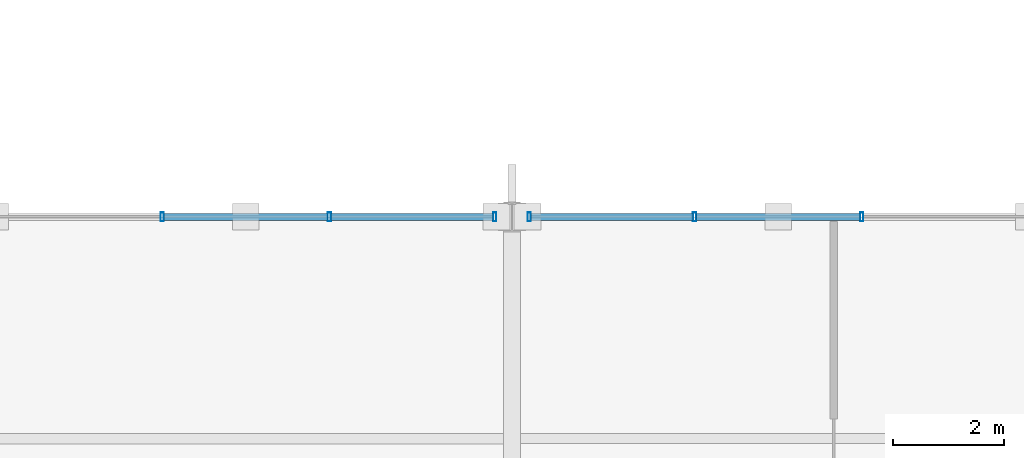
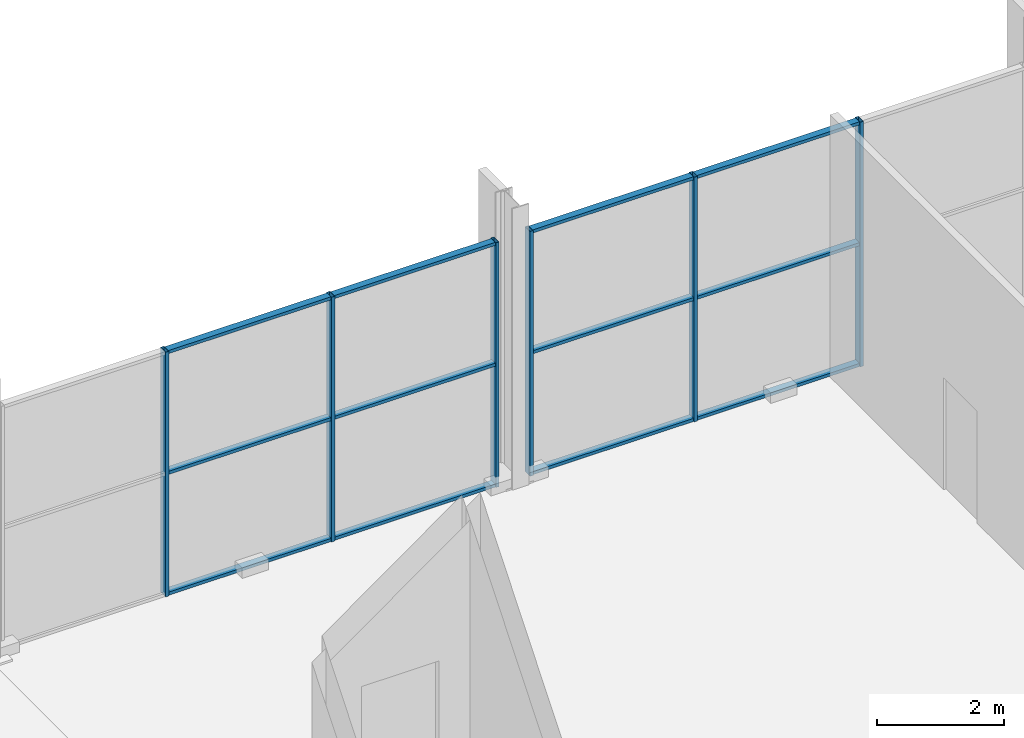
# One storey, part 112 of 196: 18 members, 2 elements without a shape of their own.
"""IFC4 building model written with IfcOpenShell, lengths in metres."""

import ifcopenshell
import ifcopenshell.guid

model = None  # the IFC model being written
_history = None  # IfcOwnerHistory: only IFC2X3 demands one
_inside = {}  # id of a spatial element -> (the spatial element, [elements in it])
_under = {}  # id of a project, library or spatial element -> (it, [spatial elements below it])
_declared = {}  # id of a project -> (the project, [libraries it declares])
_typed = {}  # id of a type object -> (the type object, [elements of that type])
_made_of = {}  # id of a material, layer set ... -> (it, [elements and type objects made of it])


def new_model(schema):
    """Start an empty IFC model of exactly this schema.

    Asked for "IFC4X3", IfcOpenShell would pick the latest addendum, in which some entities
    have other attributes; the version numbers below select the first issue.
    IFC2X3 requires an IfcOwnerHistory on every rooted entity: one is made here for all.
    """
    global model, _history
    if schema == "IFC4X3":
        model = ifcopenshell.file(schema_version=(4, 3, 0, 0))
    else:
        model = ifcopenshell.file(schema=schema)
    _inside.clear()
    _under.clear()
    _declared.clear()
    _typed.clear()
    _made_of.clear()
    _history = None
    if model.schema == "IFC2X3":
        org = make("IfcOrganization", Name="unknown")
        user = make(
            "IfcPersonAndOrganization",
            ThePerson=make("IfcPerson", FamilyName="unknown"),
            TheOrganization=org,
        )
        app = make(
            "IfcApplication",
            ApplicationDeveloper=org,
            Version="unknown",
            ApplicationFullName="unknown",
            ApplicationIdentifier="unknown",
        )
        _history = make(
            "IfcOwnerHistory",
            OwningUser=user,
            OwningApplication=app,
            ChangeAction="ADDED",
            CreationDate=0,
        )
    return model


def make(cls, **values):
    """One entity of the class cls with the attributes given. An attribute that is None is left unset."""
    return model.create_entity(
        cls, **{name: value for name, value in values.items() if value is not None}
    )


def rooted(cls, **values):
    """An entity with a GlobalId (a new one), such as an element, a storey or a relation."""
    return make(cls, GlobalId=ifcopenshell.guid.new(), OwnerHistory=_history, **values)


def si_unit(unit_type, name, prefix=None):
    """IfcSIUnit, for example si_unit("LENGTHUNIT", "METRE", prefix="MILLI")."""
    return make("IfcSIUnit", UnitType=unit_type, Prefix=prefix, Name=name)


def assignment(units):
    """IfcUnitAssignment: the units of a project."""
    return None if units is None else make("IfcUnitAssignment", Units=units)


def point(xyz):
    """IfcCartesianPoint."""
    return None if xyz is None else make("IfcCartesianPoint", Coordinates=xyz)


def direction(xyz):
    """IfcDirection."""
    return None if xyz is None else make("IfcDirection", DirectionRatios=xyz)


def frame(location, z_axis=None, x_axis=None):
    """IfcAxis2Placement3D, a coordinate frame: its origin and axes. An axis left out is left unset."""
    return make(
        "IfcAxis2Placement3D",
        Location=point(location),
        Axis=direction(z_axis),
        RefDirection=direction(x_axis),
    )


def frame_2d(location, x_axis=None):
    """IfcAxis2Placement2D, a coordinate frame in the plane: its origin and x axis."""
    return make(
        "IfcAxis2Placement2D", Location=point(location), RefDirection=direction(x_axis)
    )


def origin():
    """The frame at (0, 0, 0) with its axes left unset."""
    return frame((0.0, 0.0, 0.0))


def origin_2d():
    """The frame at (0, 0) in the plane with its x axis left unset."""
    return frame_2d((0.0, 0.0))


def place(relative_to, where):
    """IfcLocalPlacement: puts the frame where relative to a parent placement (None: the world)."""
    return make(
        "IfcLocalPlacement", PlacementRelTo=relative_to, RelativePlacement=where
    )


def context(
    kind, dimensions, precision=None, world=None, true_north=None, identifier=None
):
    """IfcGeometricRepresentationContext, for example the 3D "Model" context."""
    return make(
        "IfcGeometricRepresentationContext",
        ContextIdentifier=identifier,
        ContextType=kind,
        CoordinateSpaceDimension=dimensions,
        Precision=precision,
        WorldCoordinateSystem=world,
        TrueNorth=true_north,
    )


def subcontext(parent, identifier, kind, view, scale=None):
    """IfcGeometricRepresentationSubContext, for example "Body" below "Model"."""
    return make(
        "IfcGeometricRepresentationSubContext",
        ContextIdentifier=identifier,
        ContextType=kind,
        ParentContext=parent,
        TargetScale=scale,
        TargetView=view,
    )


def project(units=None, contexts=None):
    """IfcProject with its units and contexts."""
    return rooted(
        "IfcProject",
        Name="project",
        RepresentationContexts=contexts,
        UnitsInContext=assignment(units),
    )


def spatial(cls, under=None, at=None, **own):
    """A site, building, storey or space (cls), placed at a placement, below another one or the project."""
    s = rooted(cls, ObjectPlacement=at, **own)
    if under is not None:
        _under.setdefault(under.id(), (under, []))[1].append(s)
    return s


def profile(cls, at=None, kind="AREA", **sizes):
    """A parametric profile (cls). Its sizes go by their IFC names, for example OverallWidth=200.0."""
    return make(cls, ProfileType=kind, Position=at, **sizes)


def hollow_rectangle(**sizes):
    """IfcRectangleHollowProfileDef."""
    return profile("IfcRectangleHollowProfileDef", **sizes)


def extrude(swept, where, along, depth):
    """IfcExtrudedAreaSolid: the profile swept, set in the frame where, extruded along a direction by depth."""
    return make(
        "IfcExtrudedAreaSolid",
        SweptArea=swept,
        Position=where,
        ExtrudedDirection=direction(along),
        Depth=depth,
    )


def shape(context_of_items, identifier, shape_type, items):
    """IfcShapeRepresentation: the items that make up one representation, for example the "Body"."""
    return make(
        "IfcShapeRepresentation",
        ContextOfItems=context_of_items,
        RepresentationIdentifier=identifier,
        RepresentationType=shape_type,
        Items=items,
    )


def material(Name=None, Category=None):
    """IfcMaterial."""
    return make("IfcMaterial", Name=Name, Category=Category)


def material_profile(
    of_material, cross_section, Name=None, Category=None, Priority=None
):
    """IfcMaterialProfile: a cross section and its material."""
    return make(
        "IfcMaterialProfile",
        Name=Name,
        Material=of_material,
        Profile=cross_section,
        Priority=Priority,
        Category=Category,
    )


def profile_set(profiles, Name=None, composite=None):
    """IfcMaterialProfileSet."""
    return make(
        "IfcMaterialProfileSet",
        Name=Name,
        MaterialProfiles=profiles,
        CompositeProfile=composite,
    )


def made_of(thing, what):
    """Note that an element or type object is made of a material, layer set ...; save() writes the relation."""
    if what is not None:
        _made_of.setdefault(what.id(), (what, []))[1].append(thing)
    return thing


def type_object(cls, material=None, **own):
    """A type object (cls), such as IfcWallType, which elements share."""
    return made_of(rooted(cls, **own), material)


def element(
    cls,
    number,
    at=None,
    inside=None,
    cuts=None,
    type_object=None,
    material=None,
    context=None,
    identifier="Body",
    shape_type=None,
    held_by="IfcProductDefinitionShape",
    body=None,
    shapes=None,
    **own,
):
    """One element of the class cls, such as IfcWall. Its Tag is "e" and its number.

    at: its placement. inside: the storey or other place that contains it. cuts: it is an
    opening in that element (IfcRelVoidsElement). A single representation is given by context,
    identifier, shape_type and body (its items); several are given by shapes. held_by: the class
    of the entity that holds the representations. save() writes the other relations.
    """
    e = rooted(cls, Tag="e%d" % number, ObjectPlacement=at, **own)
    if body is not None:
        shapes = [shape(context, identifier, shape_type, body)]
    if shapes is not None:
        e.Representation = make(held_by, Representations=shapes)
    if inside is not None:
        _inside.setdefault(inside.id(), (inside, []))[1].append(e)
    if cuts is not None:
        rooted(
            "IfcRelVoidsElement", RelatingBuildingElement=cuts, RelatedOpeningElement=e
        )
    if type_object is not None:
        _typed.setdefault(type_object.id(), (type_object, []))[1].append(e)
    return made_of(e, material)


def aggregate(whole, parts):
    """IfcRelAggregates: a whole, such as a stair, and the parts it consists of."""
    return rooted("IfcRelAggregates", RelatingObject=whole, RelatedObjects=parts)


def save(model, path):
    """Write the relations noted so far, then the file.

    IfcRelAggregates (storeys below a building ...), IfcRelContainedInSpatialStructure (elements
    in a storey), IfcRelDefinesByType, IfcRelAssociatesMaterial and IfcRelDeclares: one each for
    every whole, place, type object, material and project.
    """
    for whole, parts in _under.values():
        aggregate(whole, parts)
    for where, things in _inside.values():
        rooted(
            "IfcRelContainedInSpatialStructure",
            RelatedElements=things,
            RelatingStructure=where,
        )
    for kind, things in _typed.values():
        rooted("IfcRelDefinesByType", RelatedObjects=things, RelatingType=kind)
    for what, things in _made_of.values():
        rooted("IfcRelAssociatesMaterial", RelatedObjects=things, RelatingMaterial=what)
    for by, libraries in _declared.values():
        rooted("IfcRelDeclares", RelatingContext=by, RelatedDefinitions=libraries)
    model.write(path)


model = new_model("IFC4")

# Units and contexts
model_context = context("Model", 3, precision=1e-05, world=origin(), true_north=direction((0.0, 1.0)))
body_context = subcontext(model_context, "Body", "Model", "MODEL_VIEW")
ifc_project = project(units=[si_unit("LENGTHUNIT", "METRE"), si_unit("AREAUNIT", "SQUARE_METRE"), si_unit("VOLUMEUNIT", "CUBIC_METRE"), si_unit("PLANEANGLEUNIT", "RADIAN"), si_unit("MASSUNIT", "GRAM", prefix="KILO")], contexts=[model_context])

# Site, building, storey
site_placement = place(None, origin())
site = spatial("IfcSite", under=ifc_project, at=site_placement, CompositionType="ELEMENT")
building_placement = place(site_placement, origin())
building = spatial("IfcBuilding", under=site, at=building_placement, Name="Merenkruunu Market Hall", CompositionType="ELEMENT")
storey_placement = place(building_placement, origin())
storey = spatial("IfcBuildingStorey", under=building, at=storey_placement, Name="L00", CompositionType="ELEMENT", Elevation=0.0)

# Curtain wall, members
ifc_material = material(Name="Powder-coated aluminium", Category="aluminium")
curtain_wall_type = type_object("IfcCurtainWallType", Name="Glazed Curtain Wall CW01", PredefinedType="USERDEFINED", material=ifc_material)
curtain_wall_1_placement = place(storey_placement, origin())
curtain_wall_1 = element("IfcCurtainWall", 1, at=curtain_wall_1_placement, inside=storey, type_object=curtain_wall_type, Name="CW-L00-CWM01-059", ObjectType="GLAZED_FACADE", PredefinedType="USERDEFINED")
ifc_material_profile_1 = material_profile(ifc_material, hollow_rectangle(XDim=0.06005859375, YDim=0.159912109375, WallThickness=0.00390625, at=origin_2d()), Name="ALU 60x160x4")
ifc_profile_set_1 = profile_set([ifc_material_profile_1], Name="Powder-coated aluminium")
member_type_1 = type_object("IfcMemberType", Name="Curtain Wall Mullion CWM01", PredefinedType="MULLION", material=ifc_profile_set_1)
member_1_placement = place(storey_placement, frame((32.09326171875, 111.60009765625, 0.0), z_axis=(0.0, 0.0, 1.0), x_axis=(1.0, 0.0, 0.0)))
member_1 = element("IfcMember", 2, at=member_1_placement, type_object=member_type_1, Name="CW01 mullion 2", PredefinedType="MULLION", context=body_context, shape_type="SweptSolid", body=[
    extrude(hollow_rectangle(XDim=0.06005859375, YDim=0.159912109375, WallThickness=0.00390625, at=origin_2d()), origin(), (0.0, 0.0, 1.0), 4.699951171875),
])
member_2_placement = place(storey_placement, frame((35.106689453125, 111.60009765625, 0.0), z_axis=(0.0, 0.0, 1.0), x_axis=(1.0, 0.0, 0.0)))
member_2 = element("IfcMember", 3, at=member_2_placement, type_object=member_type_1, Name="CW01 mullion 3", PredefinedType="MULLION", context=body_context, shape_type="SweptSolid", body=[
    extrude(hollow_rectangle(XDim=0.06005859375, YDim=0.159912109375, WallThickness=0.00390625, at=origin_2d()), origin(), (0.0, 0.0, 1.0), 4.699951171875),
])
member_3_placement = place(storey_placement, frame((38.090087890625, 111.60009765625, 0.0), z_axis=(0.0, 0.0, 1.0), x_axis=(1.0, 0.0, 0.0)))
member_3 = element("IfcMember", 4, at=member_3_placement, type_object=member_type_1, Name="CW01 mullion 4", PredefinedType="MULLION", context=body_context, shape_type="SweptSolid", body=[
    extrude(hollow_rectangle(XDim=0.06005859375, YDim=0.159912109375, WallThickness=0.00390625, at=origin_2d()), origin(), (0.0, 0.0, 1.0), 4.699951171875),
])

curtain_wall_2_placement = place(storey_placement, origin())
curtain_wall_2 = element("IfcCurtainWall", 5, at=curtain_wall_2_placement, inside=storey, type_object=curtain_wall_type, Name="CW-L00-CWM01-062", ObjectType="GLAZED_FACADE", PredefinedType="USERDEFINED")
member_4_placement = place(storey_placement, frame((38.7099609375, 111.60009765625, 0.0), z_axis=(0.0, 0.0, 1.0), x_axis=(1.0, 0.0, 0.0)))
member_4 = element("IfcMember", 6, at=member_4_placement, type_object=member_type_1, Name="CW01 mullion 1", PredefinedType="MULLION", context=body_context, shape_type="SweptSolid", body=[
    extrude(hollow_rectangle(XDim=0.06005859375, YDim=0.159912109375, WallThickness=0.00390625, at=origin_2d()), origin(), (0.0, 0.0, 1.0), 4.699951171875),
])
member_5_placement = place(storey_placement, frame((41.693359375, 111.60009765625, 0.0), z_axis=(0.0, 0.0, 1.0), x_axis=(1.0, 0.0, 0.0)))
member_5 = element("IfcMember", 7, at=member_5_placement, type_object=member_type_1, Name="CW01 mullion 2", PredefinedType="MULLION", context=body_context, shape_type="SweptSolid", body=[
    extrude(hollow_rectangle(XDim=0.06005859375, YDim=0.159912109375, WallThickness=0.00390625, at=origin_2d()), origin(), (0.0, 0.0, 1.0), 4.699951171875),
])
member_6_placement = place(storey_placement, frame((44.706787109375, 111.60009765625, 0.0), z_axis=(0.0, 0.0, 1.0), x_axis=(1.0, 0.0, 0.0)))
member_6 = element("IfcMember", 8, at=member_6_placement, type_object=member_type_1, Name="CW01 mullion 3", PredefinedType="MULLION", context=body_context, shape_type="SweptSolid", body=[
    extrude(hollow_rectangle(XDim=0.06005859375, YDim=0.159912109375, WallThickness=0.00390625, at=origin_2d()), origin(), (0.0, 0.0, 1.0), 4.699951171875),
])

# Member
ifc_material_profile_2 = material_profile(ifc_material, hollow_rectangle(XDim=0.06005859375, YDim=0.125, WallThickness=0.00390625, at=origin_2d()), Name="ALU 60x125x4")
ifc_profile_set_2 = profile_set([ifc_material_profile_2], Name="Powder-coated aluminium")
member_type_2 = type_object("IfcMemberType", Name="Curtain Wall Transom CWT01", PredefinedType="USERDEFINED", material=ifc_profile_set_2)
member_7_placement = place(storey_placement, frame((32.123291015625, 111.60009765625, 0.030029296875), z_axis=(1.0, 0.0, 0.0), x_axis=(0.0, 0.0, 1.0)))
member_7 = element("IfcMember", 9, at=member_7_placement, type_object=member_type_2, Name="CW01 transom 2.1", ObjectType="TRANSOM", PredefinedType="USERDEFINED", context=body_context, shape_type="SweptSolid", body=[
    extrude(hollow_rectangle(XDim=0.06005859375, YDim=0.125, WallThickness=0.00390625, at=origin_2d()), origin(), (0.0, 0.0, 1.0), 2.953369140625),
])

member_8_placement = place(storey_placement, frame((32.123291015625, 111.60009765625, 2.35009765625), z_axis=(1.0, 0.0, 0.0), x_axis=(0.0, 0.0, 1.0)))
member_8 = element("IfcMember", 10, at=member_8_placement, type_object=member_type_2, Name="CW01 transom 2.2", ObjectType="TRANSOM", PredefinedType="USERDEFINED", context=body_context, shape_type="SweptSolid", body=[
    extrude(hollow_rectangle(XDim=0.06005859375, YDim=0.125, WallThickness=0.00390625, at=origin_2d()), origin(), (0.0, 0.0, 1.0), 2.953369140625),
])

member_9_placement = place(storey_placement, frame((32.123291015625, 111.60009765625, 4.669921875), z_axis=(1.0, 0.0, 0.0), x_axis=(0.0, 0.0, 1.0)))
member_9 = element("IfcMember", 11, at=member_9_placement, type_object=member_type_2, Name="CW01 transom 2.3", ObjectType="TRANSOM", PredefinedType="USERDEFINED", context=body_context, shape_type="SweptSolid", body=[
    extrude(hollow_rectangle(XDim=0.06005859375, YDim=0.125, WallThickness=0.00390625, at=origin_2d()), origin(), (0.0, 0.0, 1.0), 2.953369140625),
])

member_10_placement = place(storey_placement, frame((35.13671875, 111.60009765625, 0.030029296875), z_axis=(1.0, 0.0, 0.0), x_axis=(0.0, 0.0, 1.0)))
member_10 = element("IfcMember", 12, at=member_10_placement, type_object=member_type_2, Name="CW01 transom 3.1", ObjectType="TRANSOM", PredefinedType="USERDEFINED", context=body_context, shape_type="SweptSolid", body=[
    extrude(hollow_rectangle(XDim=0.06005859375, YDim=0.125, WallThickness=0.00390625, at=origin_2d()), origin(), (0.0, 0.0, 1.0), 2.92333984375),
])

member_11_placement = place(storey_placement, frame((35.13671875, 111.60009765625, 2.35009765625), z_axis=(1.0, 0.0, 0.0), x_axis=(0.0, 0.0, 1.0)))
member_11 = element("IfcMember", 13, at=member_11_placement, type_object=member_type_2, Name="CW01 transom 3.2", ObjectType="TRANSOM", PredefinedType="USERDEFINED", context=body_context, shape_type="SweptSolid", body=[
    extrude(hollow_rectangle(XDim=0.06005859375, YDim=0.125, WallThickness=0.00390625, at=origin_2d()), origin(), (0.0, 0.0, 1.0), 2.92333984375),
])

member_12_placement = place(storey_placement, frame((35.13671875, 111.60009765625, 4.669921875), z_axis=(1.0, 0.0, 0.0), x_axis=(0.0, 0.0, 1.0)))
member_12 = element("IfcMember", 14, at=member_12_placement, type_object=member_type_2, Name="CW01 transom 3.3", ObjectType="TRANSOM", PredefinedType="USERDEFINED", context=body_context, shape_type="SweptSolid", body=[
    extrude(hollow_rectangle(XDim=0.06005859375, YDim=0.125, WallThickness=0.00390625, at=origin_2d()), origin(), (0.0, 0.0, 1.0), 2.92333984375),
])

aggregate(curtain_wall_1, [member_1, member_2, member_3, member_7, member_8, member_9, member_10, member_11, member_12])

member_13_placement = place(storey_placement, frame((38.739990234375, 111.60009765625, 0.030029296875), z_axis=(1.0, 0.0, 0.0), x_axis=(0.0, 0.0, 1.0)))
member_13 = element("IfcMember", 15, at=member_13_placement, type_object=member_type_2, Name="CW01 transom 1.1", ObjectType="TRANSOM", PredefinedType="USERDEFINED", context=body_context, shape_type="SweptSolid", body=[
    extrude(hollow_rectangle(XDim=0.06005859375, YDim=0.125, WallThickness=0.00390625, at=origin_2d()), origin(), (0.0, 0.0, 1.0), 2.92333984375),
])

member_14_placement = place(storey_placement, frame((38.739990234375, 111.60009765625, 2.35009765625), z_axis=(1.0, 0.0, 0.0), x_axis=(0.0, 0.0, 1.0)))
member_14 = element("IfcMember", 16, at=member_14_placement, type_object=member_type_2, Name="CW01 transom 1.2", ObjectType="TRANSOM", PredefinedType="USERDEFINED", context=body_context, shape_type="SweptSolid", body=[
    extrude(hollow_rectangle(XDim=0.06005859375, YDim=0.125, WallThickness=0.00390625, at=origin_2d()), origin(), (0.0, 0.0, 1.0), 2.92333984375),
])

member_15_placement = place(storey_placement, frame((38.739990234375, 111.60009765625, 4.669921875), z_axis=(1.0, 0.0, 0.0), x_axis=(0.0, 0.0, 1.0)))
member_15 = element("IfcMember", 17, at=member_15_placement, type_object=member_type_2, Name="CW01 transom 1.3", ObjectType="TRANSOM", PredefinedType="USERDEFINED", context=body_context, shape_type="SweptSolid", body=[
    extrude(hollow_rectangle(XDim=0.06005859375, YDim=0.125, WallThickness=0.00390625, at=origin_2d()), origin(), (0.0, 0.0, 1.0), 2.92333984375),
])

member_16_placement = place(storey_placement, frame((41.723388671875, 111.60009765625, 0.030029296875), z_axis=(1.0, 0.0, 0.0), x_axis=(0.0, 0.0, 1.0)))
member_16 = element("IfcMember", 18, at=member_16_placement, type_object=member_type_2, Name="CW01 transom 2.1", ObjectType="TRANSOM", PredefinedType="USERDEFINED", context=body_context, shape_type="SweptSolid", body=[
    extrude(hollow_rectangle(XDim=0.06005859375, YDim=0.125, WallThickness=0.00390625, at=origin_2d()), origin(), (0.0, 0.0, 1.0), 2.953369140625),
])

member_17_placement = place(storey_placement, frame((41.723388671875, 111.60009765625, 2.35009765625), z_axis=(1.0, 0.0, 0.0), x_axis=(0.0, 0.0, 1.0)))
member_17 = element("IfcMember", 19, at=member_17_placement, type_object=member_type_2, Name="CW01 transom 2.2", ObjectType="TRANSOM", PredefinedType="USERDEFINED", context=body_context, shape_type="SweptSolid", body=[
    extrude(hollow_rectangle(XDim=0.06005859375, YDim=0.125, WallThickness=0.00390625, at=origin_2d()), origin(), (0.0, 0.0, 1.0), 2.953369140625),
])

member_18_placement = place(storey_placement, frame((41.723388671875, 111.60009765625, 4.669921875), z_axis=(1.0, 0.0, 0.0), x_axis=(0.0, 0.0, 1.0)))
member_18 = element("IfcMember", 20, at=member_18_placement, type_object=member_type_2, Name="CW01 transom 2.3", ObjectType="TRANSOM", PredefinedType="USERDEFINED", context=body_context, shape_type="SweptSolid", body=[
    extrude(hollow_rectangle(XDim=0.06005859375, YDim=0.125, WallThickness=0.00390625, at=origin_2d()), origin(), (0.0, 0.0, 1.0), 2.953369140625),
])

aggregate(curtain_wall_2, [member_4, member_5, member_6, member_13, member_14, member_15, member_16, member_17, member_18])

save(model, "model.ifc")
